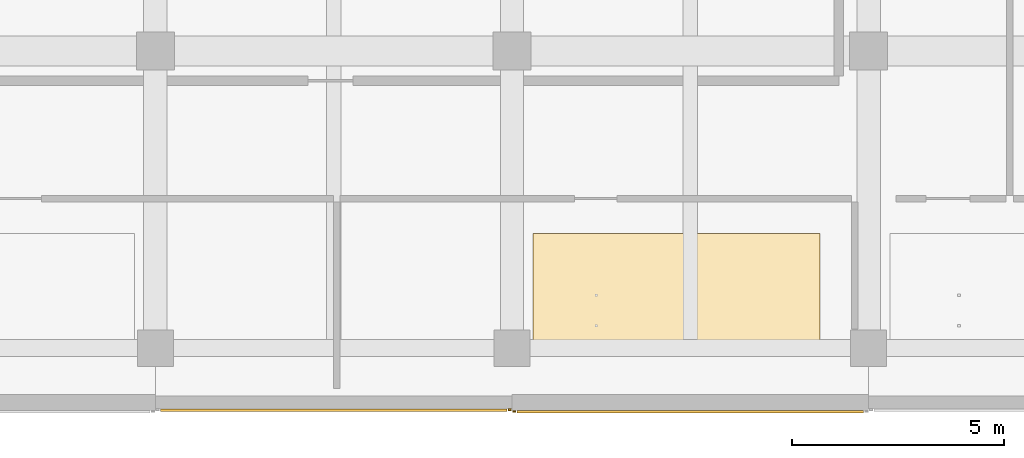
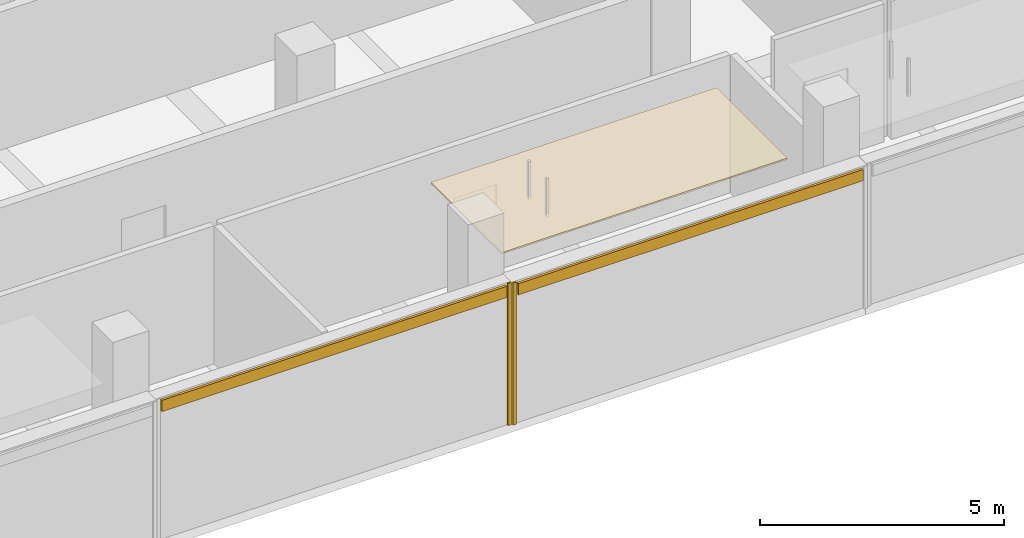
# One storey, part 30 of 39: 5 coverings.
"""IFC4 building model written with IfcOpenShell, lengths in metres."""

from ifc_helpers import new_model, si_unit, direction, frame, origin, origin_2d, place, context, subcontext, project, spatial, polyline, rectangle, outline, extrude, material, layer, layer_set, type_object, element, save


model = new_model("IFC4")

# Units and contexts
model_context = context("Model", 3, precision=1e-05, world=origin(), true_north=direction((0.0, 1.0)))
body_context = subcontext(model_context, "Body", "Model", "MODEL_VIEW")
ifc_project = project(units=[si_unit("LENGTHUNIT", "METRE"), si_unit("AREAUNIT", "SQUARE_METRE"), si_unit("VOLUMEUNIT", "CUBIC_METRE"), si_unit("PLANEANGLEUNIT", "RADIAN"), si_unit("MASSUNIT", "GRAM", prefix="KILO")], contexts=[model_context])

# Site, building, storey
site_placement = place(None, origin())
site = spatial("IfcSite", under=ifc_project, at=site_placement, CompositionType="ELEMENT")
building_placement = place(site_placement, origin())
building = spatial("IfcBuilding", under=site, at=building_placement, Name="Telukmera Botanical Conservatory", CompositionType="ELEMENT")
storey_placement = place(building_placement, frame((0.0, 0.0, 19.5)))
storey = spatial("IfcBuildingStorey", under=building, at=storey_placement, Name="L04", CompositionType="ELEMENT", Elevation=19.5)

# Coverings
ifc_material_1 = material(Name="Perforated gypsum acoustic ceiling")
ifc_layer_1 = layer(ifc_material_1, 0.0400390625)
ifc_layer_set_1 = layer_set([ifc_layer_1], Name="Perforated gypsum acoustic ceiling")
covering_type_1 = type_object("IfcCoveringType", Name="COV-CEIL-40", PredefinedType="CEILING", material=ifc_layer_set_1)
covering_placement = place(storey_placement, frame((0.0, 0.0, 3.31005859375)))
element("IfcCovering", 1, at=covering_placement, inside=storey, type_object=covering_type_1, Name="L04 Specimen Mounting Studio Suspended Acoustic Ceiling", PredefinedType="CEILING", context=body_context, shape_type="SweptSolid", body=[
    extrude(outline(polyline([(84.4951171875, 10.39990234375), (91.25, 10.39990234375), (91.25, 13.300048828125), (84.4951171875, 13.300048828125), (84.4951171875, 10.39990234375)])), origin(), (0.0, 0.0, 1.0), 0.0400390625),
])
ifc_material_2 = material(Name="Granite-faced precast concrete C40/50", Category="masonry")
ifc_layer_2 = layer(ifc_material_2, 0.0400390625)
ifc_layer_set_2 = layer_set([ifc_layer_2], Name="Granite-faced precast concrete C40/50")
covering_type_2 = type_object("IfcCoveringType", Name="Granite Precast Column Pier Reveal Casing", PredefinedType="CLADDING", material=ifc_layer_set_2)
for number, where, z_axis, x_axis, name in (
    (2, (83.947998046875, 9.14990234375, 0.0), (0.0, 0.0, 1.0), (1.0, 0.0, 0.0), "Granite Pier Reveal V4:L04:S4 R"),
    (3, (84.052001953125, 9.110107421875, 0.0), (0.0, 0.0, 1.0), (1.0, 0.0, 0.0), "Granite Pier Reveal V4:L04:S5 L"),
):
    element("IfcCovering", number, at=place(storey_placement, frame(where, z_axis=z_axis, x_axis=x_axis)), inside=storey, type_object=covering_type_2, Name=name, PredefinedType="CLADDING", context=body_context, shape_type="SweptSolid", body=[
        extrude(rectangle(XDim=0.080078125, YDim=0.0400390625, at=origin_2d()), origin(), (0.0, 0.0, 1.0), 3.550048828125),
    ])
ifc_material_3 = material(Name="Terracotta-faced precast concrete C40/50", Category="masonry")
ifc_layer_3 = layer(ifc_material_3, 0.06005859375)
ifc_layer_set_3 = layer_set([ifc_layer_3], Name="Terracotta-faced precast concrete C40/50")
covering_type_3 = type_object("IfcCoveringType", Name="Polychrome Terracotta Facade Band Cladding", PredefinedType="CLADDING", material=ifc_layer_set_3)
for number, where, z_axis, x_axis, name in (
    (4, (79.800048828125, 9.139892578125, 3.22998046875), (0.0, 0.0, 1.0), (1.0, 0.0, 0.0), "Polychrome Terracotta Band V4:L04:S4"),
    (5, (88.199951171875, 9.10009765625, 3.22998046875), (0.0, 0.0, 1.0), (1.0, 0.0, 0.0), "Polychrome Terracotta Band V4:L04:S5"),
):
    element("IfcCovering", number, at=place(storey_placement, frame(where, z_axis=z_axis, x_axis=x_axis)), inside=storey, type_object=covering_type_3, Name=name, PredefinedType="CLADDING", context=body_context, shape_type="SweptSolid", body=[
        extrude(rectangle(XDim=8.156005859375, YDim=0.06005859375, at=origin_2d()), origin(), (0.0, 0.0, 1.0), 0.280029296875),
    ])

save(model, "model.ifc")
